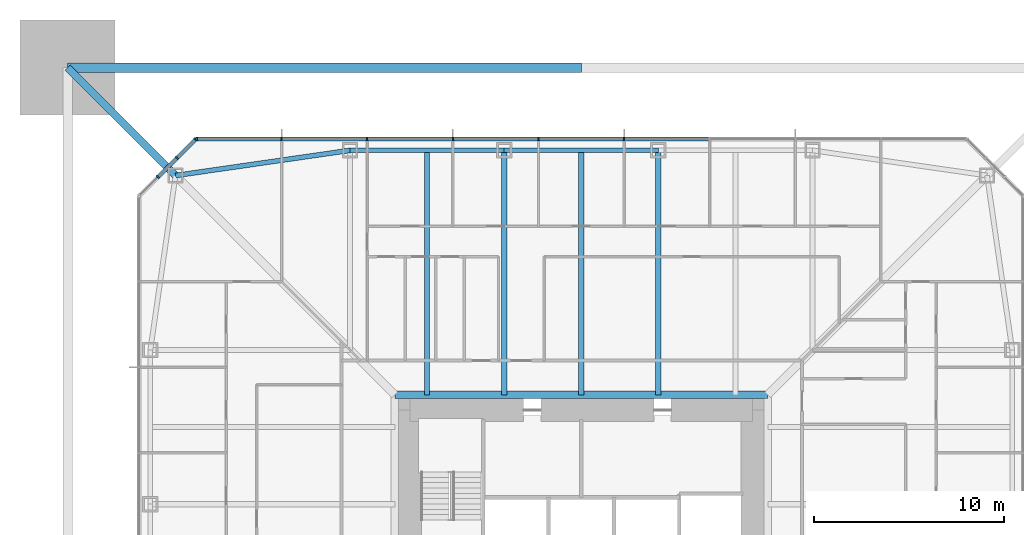
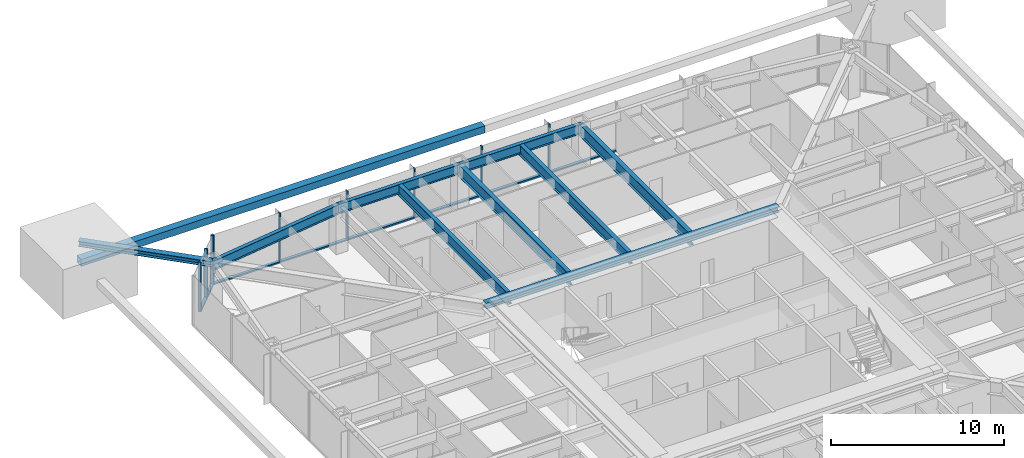
# One storey, part 7 of 27: 19 members, 8 beams, 2 elements without a shape of their own.
"""IFC4 building model written with IfcOpenShell, lengths in metres."""

from ifc_helpers import new_model, si_unit, direction, frame, origin, origin_2d, place, context, subcontext, project, spatial, rectangle, hollow_rectangle, i_section, extrude, material, material_profile, profile_set, type_object, element, aggregate, save


model = new_model("IFC4")

# Units and contexts
model_context = context("Model", 3, precision=1e-05, world=origin(), true_north=direction((0.0, 1.0)))
body_context = subcontext(model_context, "Body", "Model", "MODEL_VIEW")
ifc_project = project(units=[si_unit("LENGTHUNIT", "METRE"), si_unit("AREAUNIT", "SQUARE_METRE"), si_unit("VOLUMEUNIT", "CUBIC_METRE"), si_unit("PLANEANGLEUNIT", "RADIAN"), si_unit("MASSUNIT", "GRAM", prefix="KILO")], contexts=[model_context])

# Site, building, storey
site_placement = place(None, origin())
site = spatial("IfcSite", under=ifc_project, at=site_placement, CompositionType="ELEMENT")
building_placement = place(site_placement, origin())
building = spatial("IfcBuilding", under=site, at=building_placement, Name="Iwan Alto Co-Living Towers", CompositionType="ELEMENT")
storey_placement = place(building_placement, frame((0.0, 0.0, 53.5)))
storey = spatial("IfcBuildingStorey", under=building, at=storey_placement, Name="L14", CompositionType="ELEMENT", Elevation=53.5)

# Curtain wall, members
ifc_material_1 = material(Name="Bronze aluminium unitised frame", Category="aluminium")
curtain_wall_type_1 = type_object("IfcCurtainWallType", Name="CURTAIN WALL CW-A", PredefinedType="NOTDEFINED", material=ifc_material_1)
curtain_wall_1_placement = place(storey_placement, origin())
curtain_wall_1 = element("IfcCurtainWall", 1, at=curtain_wall_1_placement, inside=storey, type_object=curtain_wall_type_1, Name="T1 curtain wall N L14", PredefinedType="NOTDEFINED")
ifc_material_2 = material(Name="Aluminium 6063-T6 bronze anodised", Category="aluminium")
ifc_material_profile_1 = material_profile(ifc_material_2, rectangle(XDim=0.199951171875, YDim=0.080078125, at=origin_2d()), Name="AL 80X200")
ifc_profile_set_1 = profile_set([ifc_material_profile_1], Name="Aluminium 6063-T6 bronze anodised")
member_type_1 = type_object("IfcMemberType", Name="CW-A MULLION 80X200", PredefinedType="MULLION", material=ifc_profile_set_1)
member_1_placement = place(storey_placement, frame((2.25, 23.25, 0.0), z_axis=(0.0, 0.0, 1.0), x_axis=(0.0, -1.0, 0.0)))
member_1 = element("IfcMember", 2, at=member_1_placement, type_object=member_type_1, Name="CW-A mullion 5", PredefinedType="MULLION", context=body_context, shape_type="SweptSolid", body=[
    extrude(rectangle(XDim=0.199951171875, YDim=0.080078125, at=origin_2d()), origin(), (0.0, 0.0, 1.0), 3.5),
])
member_2_placement = place(storey_placement, frame((-2.25, 23.25, 0.0), z_axis=(0.0, 0.0, 1.0), x_axis=(0.0, -1.0, 0.0)))
member_2 = element("IfcMember", 3, at=member_2_placement, type_object=member_type_1, Name="CW-A mullion 6", PredefinedType="MULLION", context=body_context, shape_type="SweptSolid", body=[
    extrude(rectangle(XDim=0.199951171875, YDim=0.080078125, at=origin_2d()), origin(), (0.0, 0.0, 1.0), 3.5),
])
member_3_placement = place(storey_placement, frame((-6.75, 23.25, 0.0), z_axis=(0.0, 0.0, 1.0), x_axis=(0.0, -1.0, 0.0)))
member_3 = element("IfcMember", 4, at=member_3_placement, type_object=member_type_1, Name="CW-A mullion 7", PredefinedType="MULLION", context=body_context, shape_type="SweptSolid", body=[
    extrude(rectangle(XDim=0.199951171875, YDim=0.080078125, at=origin_2d()), origin(), (0.0, 0.0, 1.0), 3.5),
])
member_4_placement = place(storey_placement, frame((-11.25, 23.25, 0.0), z_axis=(0.0, 0.0, 1.0), x_axis=(0.0, -1.0, 0.0)))
member_4 = element("IfcMember", 5, at=member_4_placement, type_object=member_type_1, Name="CW-A mullion 8", PredefinedType="MULLION", context=body_context, shape_type="SweptSolid", body=[
    extrude(rectangle(XDim=0.199951171875, YDim=0.080078125, at=origin_2d()), origin(), (0.0, 0.0, 1.0), 3.5),
])
member_5_placement = place(storey_placement, frame((-15.75, 23.25, 0.0), z_axis=(0.0, 0.0, 1.0), x_axis=(0.0, -1.0, 0.0)))
member_5 = element("IfcMember", 6, at=member_5_placement, type_object=member_type_1, Name="CW-A mullion 9", PredefinedType="MULLION", context=body_context, shape_type="SweptSolid", body=[
    extrude(rectangle(XDim=0.199951171875, YDim=0.080078125, at=origin_2d()), origin(), (0.0, 0.0, 1.0), 3.5),
])
member_6_placement = place(storey_placement, frame((-20.2099609375, 23.25, 0.0), z_axis=(0.0, 0.0, 1.0), x_axis=(0.0, -1.0, 0.0)))
member_6 = element("IfcMember", 7, at=member_6_placement, type_object=member_type_1, Name="CW-A mullion 10", PredefinedType="MULLION", context=body_context, shape_type="SweptSolid", body=[
    extrude(rectangle(XDim=0.199951171875, YDim=0.080078125, at=origin_2d()), origin(), (0.0, 0.0, 1.0), 3.5),
])
ifc_material_3 = material(Name="Aluminium 6063-T6 bronze anodised", Category="aluminium")
ifc_material_profile_2 = material_profile(ifc_material_3, rectangle(XDim=0.199951171875, YDim=0.10009765625, at=origin_2d()), Name="AL 200X100")
ifc_profile_set_2 = profile_set([ifc_material_profile_2], Name="Aluminium 6063-T6 bronze anodised")
member_type_2 = type_object("IfcMemberType", Name="CW-A TRANSOM 200X100", PredefinedType="USERDEFINED", material=ifc_profile_set_2)
member_7_placement = place(storey_placement, frame((6.7099609375, 23.25, 0.050048828125), z_axis=(-1.0, 0.0, 0.0), x_axis=(0.0, -1.0, 0.0)))
member_7 = element("IfcMember", 8, at=member_7_placement, type_object=member_type_2, Name="CW-A transom 4.1", ObjectType="TRANSOM", PredefinedType="USERDEFINED", context=body_context, shape_type="SweptSolid", body=[
    extrude(rectangle(XDim=0.199951171875, YDim=0.10009765625, at=origin_2d()), origin(), (0.0, 0.0, 1.0), 4.419921875),
])
member_8_placement = place(storey_placement, frame((2.2099609375, 23.25, 0.050048828125), z_axis=(-1.0, 0.0, 0.0), x_axis=(0.0, -1.0, 0.0)))
member_8 = element("IfcMember", 9, at=member_8_placement, type_object=member_type_2, Name="CW-A transom 5.1", ObjectType="TRANSOM", PredefinedType="USERDEFINED", context=body_context, shape_type="SweptSolid", body=[
    extrude(rectangle(XDim=0.199951171875, YDim=0.10009765625, at=origin_2d()), origin(), (0.0, 0.0, 1.0), 4.419921875),
])
member_9_placement = place(storey_placement, frame((-2.2900390625, 23.25, 0.050048828125), z_axis=(-1.0, 0.0, 0.0), x_axis=(0.0, -1.0, 0.0)))
member_9 = element("IfcMember", 10, at=member_9_placement, type_object=member_type_2, Name="CW-A transom 6.1", ObjectType="TRANSOM", PredefinedType="USERDEFINED", context=body_context, shape_type="SweptSolid", body=[
    extrude(rectangle(XDim=0.199951171875, YDim=0.10009765625, at=origin_2d()), origin(), (0.0, 0.0, 1.0), 4.419921875),
])
member_10_placement = place(storey_placement, frame((-6.7900390625, 23.25, 0.050048828125), z_axis=(-1.0, 0.0, 0.0), x_axis=(0.0, -1.0, 0.0)))
member_10 = element("IfcMember", 11, at=member_10_placement, type_object=member_type_2, Name="CW-A transom 7.1", ObjectType="TRANSOM", PredefinedType="USERDEFINED", context=body_context, shape_type="SweptSolid", body=[
    extrude(rectangle(XDim=0.199951171875, YDim=0.10009765625, at=origin_2d()), origin(), (0.0, 0.0, 1.0), 4.419921875),
])
member_11_placement = place(storey_placement, frame((-11.2900390625, 23.25, 0.050048828125), z_axis=(-1.0, 0.0, 0.0), x_axis=(0.0, -1.0, 0.0)))
member_11 = element("IfcMember", 12, at=member_11_placement, type_object=member_type_2, Name="CW-A transom 8.1", ObjectType="TRANSOM", PredefinedType="USERDEFINED", context=body_context, shape_type="SweptSolid", body=[
    extrude(rectangle(XDim=0.199951171875, YDim=0.10009765625, at=origin_2d()), origin(), (0.0, 0.0, 1.0), 4.419921875),
])
member_12_placement = place(storey_placement, frame((-15.7900390625, 23.25, 0.050048828125), z_axis=(-1.0, 0.0, 0.0), x_axis=(0.0, -1.0, 0.0)))
member_12 = element("IfcMember", 13, at=member_12_placement, type_object=member_type_2, Name="CW-A transom 9.1", ObjectType="TRANSOM", PredefinedType="USERDEFINED", context=body_context, shape_type="SweptSolid", body=[
    extrude(rectangle(XDim=0.199951171875, YDim=0.10009765625, at=origin_2d()), origin(), (0.0, 0.0, 1.0), 4.3798828125),
])
aggregate(curtain_wall_1, [member_1, member_2, member_3, member_4, member_5, member_6, member_7, member_8, member_9, member_10, member_11, member_12])

ifc_material_4 = material(Name="Bronze aluminium unitised frame", Category="aluminium")
curtain_wall_type_2 = type_object("IfcCurtainWallType", Name="CURTAIN WALL CW-B", PredefinedType="NOTDEFINED", material=ifc_material_4)
curtain_wall_2_placement = place(storey_placement, origin())
curtain_wall_2 = element("IfcCurtainWall", 14, at=curtain_wall_2_placement, inside=storey, type_object=curtain_wall_type_2, Name="T1 chamfer curtain wall NW L14", PredefinedType="NOTDEFINED")
ifc_material_5 = material(Name="Aluminium 6063-T6 bronze anodised", Category="aluminium")
ifc_material_profile_3 = material_profile(ifc_material_5, rectangle(XDim=0.199951171875, YDim=0.080078125, at=origin_2d()), Name="AL 80X200")
ifc_profile_set_3 = profile_set([ifc_material_profile_3], Name="Aluminium 6063-T6 bronze anodised")
member_type_3 = type_object("IfcMemberType", Name="CW-B MULLION 80X200", PredefinedType="MULLION", material=ifc_profile_set_3)
member_13_placement = place(storey_placement, frame((-20.2783203125, 23.2216796875, 0.0), z_axis=(0.0, 0.0, 1.0), x_axis=(0.707106781187, -0.707106781187, 0.0)))
member_13 = element("IfcMember", 15, at=member_13_placement, type_object=member_type_3, Name="CW-B mullion 1", PredefinedType="MULLION", context=body_context, shape_type="SweptSolid", body=[
    extrude(rectangle(XDim=0.199951171875, YDim=0.080078125, at=origin_2d()), origin(), (0.0, 0.0, 1.0), 3.5),
])
member_14_placement = place(storey_placement, frame((-21.25, 22.25, 0.0), z_axis=(0.0, 0.0, 1.0), x_axis=(0.707106781187, -0.707106781187, 0.0)))
member_14 = element("IfcMember", 16, at=member_14_placement, type_object=member_type_3, Name="CW-B mullion 2", PredefinedType="MULLION", context=body_context, shape_type="SweptSolid", body=[
    extrude(rectangle(XDim=0.199951171875, YDim=0.080078125, at=origin_2d()), origin(), (0.0, 0.0, 1.0), 3.5),
])
member_15_placement = place(storey_placement, frame((-22.25, 21.25, 0.0), z_axis=(0.0, 0.0, 1.0), x_axis=(0.707106781187, -0.707106781187, 0.0)))
member_15 = element("IfcMember", 17, at=member_15_placement, type_object=member_type_3, Name="CW-B mullion 3", PredefinedType="MULLION", context=body_context, shape_type="SweptSolid", body=[
    extrude(rectangle(XDim=0.199951171875, YDim=0.080078125, at=origin_2d()), origin(), (0.0, 0.0, 1.0), 3.5),
])
ifc_material_6 = material(Name="Aluminium 6063-T6 bronze anodised", Category="aluminium")
ifc_material_profile_4 = material_profile(ifc_material_6, rectangle(XDim=0.199951171875, YDim=0.10009765625, at=origin_2d()), Name="AL 200X100")
ifc_profile_set_4 = profile_set([ifc_material_profile_4], Name="Aluminium 6063-T6 bronze anodised")
member_type_4 = type_object("IfcMemberType", Name="CW-B TRANSOM 200X100", PredefinedType="USERDEFINED", material=ifc_profile_set_4)
member_16_placement = place(storey_placement, frame((-20.306640625, 23.193359375, 0.050048828125), z_axis=(-0.707106781187, -0.707106781187, 0.0), x_axis=(0.707106781187, -0.707106781187, 0.0)))
member_16 = element("IfcMember", 18, at=member_16_placement, type_object=member_type_4, Name="CW-B transom 1.1", ObjectType="TRANSOM", PredefinedType="USERDEFINED", context=body_context, shape_type="SweptSolid", body=[
    extrude(rectangle(XDim=0.199951171875, YDim=0.10009765625, at=origin_2d()), origin(), (0.0, 0.0, 1.0), 1.2939453125),
])
member_17_placement = place(storey_placement, frame((-21.2783203125, 22.2216796875, 0.050048828125), z_axis=(-0.707106781187, -0.707106781187, 0.0), x_axis=(0.707106781187, -0.707106781187, 0.0)))
member_17 = element("IfcMember", 19, at=member_17_placement, type_object=member_type_4, Name="CW-B transom 2.1", ObjectType="TRANSOM", PredefinedType="USERDEFINED", context=body_context, shape_type="SweptSolid", body=[
    extrude(rectangle(XDim=0.199951171875, YDim=0.10009765625, at=origin_2d()), origin(), (0.0, 0.0, 1.0), 1.334228515625),
])
aggregate(curtain_wall_2, [member_13, member_14, member_15, member_16, member_17])

# Beams
ifc_material_7 = material(Name="Steel ASTM A992 Gr 50", Category="steel")
ifc_material_profile_5 = material_profile(ifc_material_7, i_section(OverallWidth=0.40380859375, OverallDepth=0.406494140625, WebThickness=0.027099609375, FlangeThickness=0.043701171875, at=origin_2d()), Name="W14X233")
ifc_profile_set_5 = profile_set([ifc_material_profile_5], Name="Steel ASTM A992 Gr 50")
beam_type_1 = type_object("IfcBeamType", Name="T1 CORE LEDGER BEAM W14X233", PredefinedType="BEAM", material=ifc_profile_set_5)
beam_1_placement = place(storey_placement, frame((9.802001953125, 9.802001953125, 3.06689453125), z_axis=(-1.0, 0.0, 0.0), x_axis=(0.0, -1.0, 0.0)))
element("IfcBeam", 20, at=beam_1_placement, inside=storey, type_object=beam_type_1, Name="T1 core ledger beam N L15", PredefinedType="BEAM", context=body_context, shape_type="SweptSolid", body=[
    extrude(i_section(OverallWidth=0.40380859375, OverallDepth=0.406494140625, WebThickness=0.027099609375, FlangeThickness=0.043701171875, at=origin_2d()), origin(), (0.0, 0.0, 1.0), 19.60400390625),
])
ifc_material_8 = material(Name="Steel ASTM A992 Gr 50", Category="steel")
ifc_material_profile_6 = material_profile(ifc_material_8, i_section(OverallWidth=0.25390625, OverallDepth=0.683349609375, WebThickness=0.012451171875, FlangeThickness=0.018798828125, at=origin_2d()), Name="W27X94")
ifc_profile_set_6 = profile_set([ifc_material_profile_6], Name="Steel ASTM A992 Gr 50")
beam_type_2 = type_object("IfcBeamType", Name="T1 EDGE BEAM W27X94", PredefinedType="BEAM", material=ifc_profile_set_6)
beam_2_placement = place(storey_placement, frame((4.050048828125, 22.64990234375, 2.928466796875), z_axis=(-1.0, 0.0, 0.0), x_axis=(0.0, -1.0, 0.0)))
element("IfcBeam", 21, at=beam_2_placement, inside=storey, type_object=beam_type_2, Name="T1 edge beam N2 L15", PredefinedType="BEAM", context=body_context, shape_type="SweptSolid", body=[
    extrude(i_section(OverallWidth=0.25390625, OverallDepth=0.683349609375, WebThickness=0.012451171875, FlangeThickness=0.018798828125, at=origin_2d()), origin(), (0.0, 0.0, 1.0), 8.10009765625),
])
beam_3_placement = place(storey_placement, frame((-4.050048828125, 22.64990234375, 2.928466796875), z_axis=(-1.0, 0.0, 0.0), x_axis=(0.0, -1.0, 0.0)))
element("IfcBeam", 22, at=beam_3_placement, inside=storey, type_object=beam_type_2, Name="T1 edge beam N3 L15", PredefinedType="BEAM", context=body_context, shape_type="SweptSolid", body=[
    extrude(i_section(OverallWidth=0.25390625, OverallDepth=0.683349609375, WebThickness=0.012451171875, FlangeThickness=0.018798828125, at=origin_2d()), origin(), (0.0, 0.0, 1.0), 8.099853515625),
])
beam_4_placement = place(storey_placement, frame((-12.14990234375, 22.64990234375, 2.928466796875), z_axis=(-0.989746234347, -0.142836940589, 0.0), x_axis=(0.142836940589, -0.989746234347, 0.0)))
element("IfcBeam", 23, at=beam_4_placement, inside=storey, type_object=beam_type_2, Name="T1 edge beam N4 L15", PredefinedType="BEAM", context=body_context, shape_type="SweptSolid", body=[
    extrude(i_section(OverallWidth=0.25390625, OverallDepth=0.683349609375, WebThickness=0.012451171875, FlangeThickness=0.018798828125, at=origin_2d()), origin(), (0.0, 0.0, 1.0), 9.270751953125),
])

# Members
ifc_material_9 = material(Name="Steel ASTM A992 Gr 50", Category="steel")
ifc_material_profile_7 = material_profile(ifc_material_9, i_section(OverallWidth=0.393798828125, OverallDepth=0.3759765625, WebThickness=0.017333984375, FlangeThickness=0.027587890625, at=origin_2d()), Name="W14X145")
ifc_profile_set_7 = profile_set([ifc_material_profile_7], Name="Steel ASTM A992 Gr 50")
member_type_5 = type_object("IfcMemberType", Name="T1 MEGA COLUMN FLOOR TIE W14X145", PredefinedType="STRUT", material=ifc_profile_set_7)
member_18_placement = place(storey_placement, frame((-27.0, 27.0, 3.08203125), z_axis=(0.707106781187, -0.707106781187, 0.0), x_axis=(0.707106781187, 0.707106781187, 0.0)))
element("IfcMember", 24, at=member_18_placement, inside=storey, type_object=member_type_5, Name="T1 mega column floor tie NW L15", PredefinedType="STRUT", context=body_context, shape_type="SweptSolid", body=[
    extrude(i_section(OverallWidth=0.393798828125, OverallDepth=0.3759765625, WebThickness=0.017333984375, FlangeThickness=0.027587890625, at=origin_2d()), origin(), (0.0, 0.0, 1.0), 8.024658203125),
])
ifc_material_10 = material(Name="Steel ASTM A572 Gr 50", Category="steel")
ifc_material_profile_8 = material_profile(ifc_material_10, hollow_rectangle(XDim=0.5, YDim=0.5, WallThickness=0.031982421875, at=origin_2d()), Name="BOX 500X500X32")
ifc_profile_set_8 = profile_set([ifc_material_profile_8], Name="Steel ASTM A572 Gr 50")
member_type_6 = type_object("IfcMemberType", Name="T1 MEGA TIE BOX 500X500X32", PredefinedType="STRUT", material=ifc_profile_set_8)
member_19_placement = place(storey_placement, frame((0.0, 27.0, 1.75), z_axis=(-1.0, 0.0, 0.0), x_axis=(0.0, -1.0, 0.0)))
element("IfcMember", 25, at=member_19_placement, inside=storey, type_object=member_type_6, Name="T1 mega tie Z1B N 2", PredefinedType="STRUT", context=body_context, shape_type="SweptSolid", body=[
    extrude(hollow_rectangle(XDim=0.5, YDim=0.5, WallThickness=0.031982421875, at=origin_2d()), origin(), (0.0, 0.0, 1.0), 27.0),
])

# Beams
ifc_material_11 = material(Name="Steel ASTM A992 Gr 50", Category="steel")
ifc_material_profile_9 = material_profile(ifc_material_11, i_section(OverallWidth=0.2919921875, OverallDepth=0.8408203125, WebThickness=0.0146484375, FlangeThickness=0.021728515625, at=origin_2d()), Name="W33X130")
ifc_profile_set_9 = profile_set([ifc_material_profile_9], Name="Steel ASTM A992 Gr 50")
beam_type_3 = type_object("IfcBeamType", Name="T1 RADIAL BEAM W33X130", PredefinedType="BEAM", material=ifc_profile_set_9)
for number, where, z_axis, x_axis, name in (
    (26, (4.050048828125, 22.64990234375, 2.849609375), (0.0, -1.0, 0.0), (1.0, 0.0, 0.0), "T1 radial beam N2 L15"),
    (27, (-4.050048828125, 22.64990234375, 2.849609375), (0.0, -1.0, 0.0), (1.0, 0.0, 0.0), "T1 radial beam N3 L15"),
):
    element("IfcBeam", number, at=place(storey_placement, frame(where, z_axis=z_axis, x_axis=x_axis)), inside=storey, type_object=beam_type_3, Name=name, PredefinedType="BEAM", context=body_context, shape_type="SweptSolid", body=[
        extrude(i_section(OverallWidth=0.2919921875, OverallDepth=0.8408203125, WebThickness=0.0146484375, FlangeThickness=0.021728515625, at=origin_2d()), origin(), (0.0, 0.0, 1.0), 12.847900390625),
    ])
ifc_material_12 = material(Name="Steel ASTM A992 Gr 50", Category="steel")
ifc_material_profile_10 = material_profile(ifc_material_12, i_section(OverallWidth=0.2666015625, OverallDepth=0.761962890625, WebThickness=0.014404296875, FlangeThickness=0.021484375, at=origin_2d()), Name="W30X116")
ifc_profile_set_10 = profile_set([ifc_material_profile_10], Name="Steel ASTM A992 Gr 50")
beam_type_4 = type_object("IfcBeamType", Name="T1 SECONDARY BEAM W30X116", PredefinedType="JOIST", material=ifc_profile_set_10)
for number, where, z_axis, x_axis, name in (
    (28, (0.0, 22.64990234375, 2.888916015625), (0.0, -1.0, 0.0), (1.0, 0.0, 0.0), "T1 secondary beam N2 L15"),
    (29, (-8.10009765625, 22.64990234375, 2.888916015625), (0.0, -1.0, 0.0), (1.0, 0.0, 0.0), "T1 secondary beam N3 L15"),
):
    element("IfcBeam", number, at=place(storey_placement, frame(where, z_axis=z_axis, x_axis=x_axis)), inside=storey, type_object=beam_type_4, Name=name, PredefinedType="JOIST", context=body_context, shape_type="SweptSolid", body=[
        extrude(i_section(OverallWidth=0.2666015625, OverallDepth=0.761962890625, WebThickness=0.014404296875, FlangeThickness=0.021484375, at=origin_2d()), origin(), (0.0, 0.0, 1.0), 12.847900390625),
    ])

save(model, "model.ifc")
